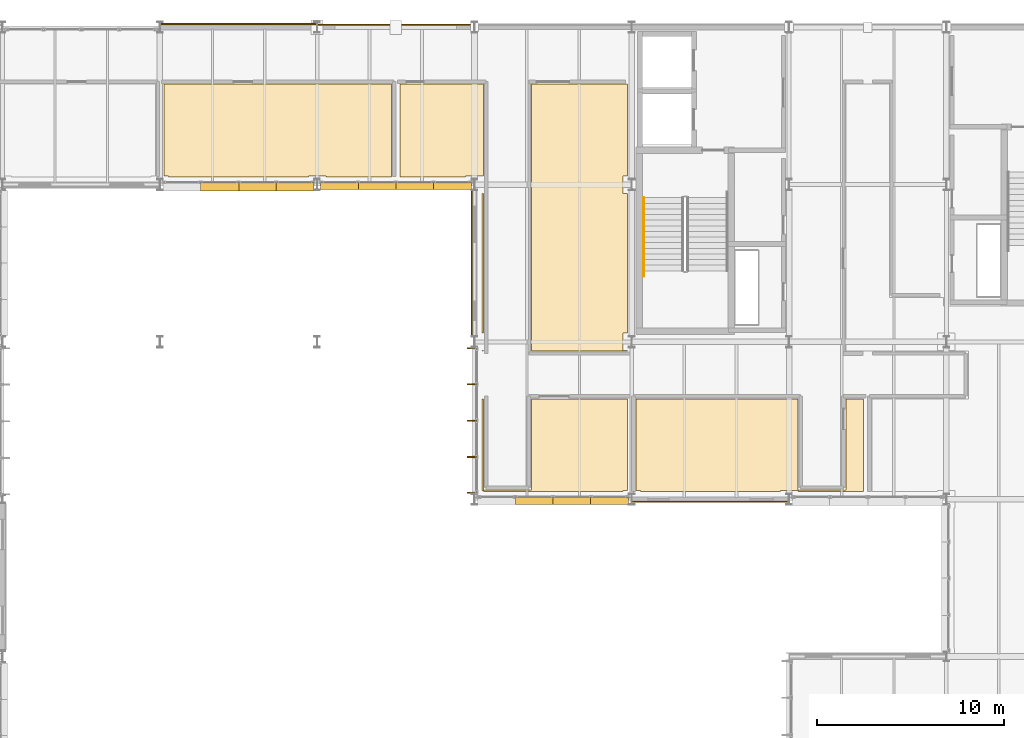
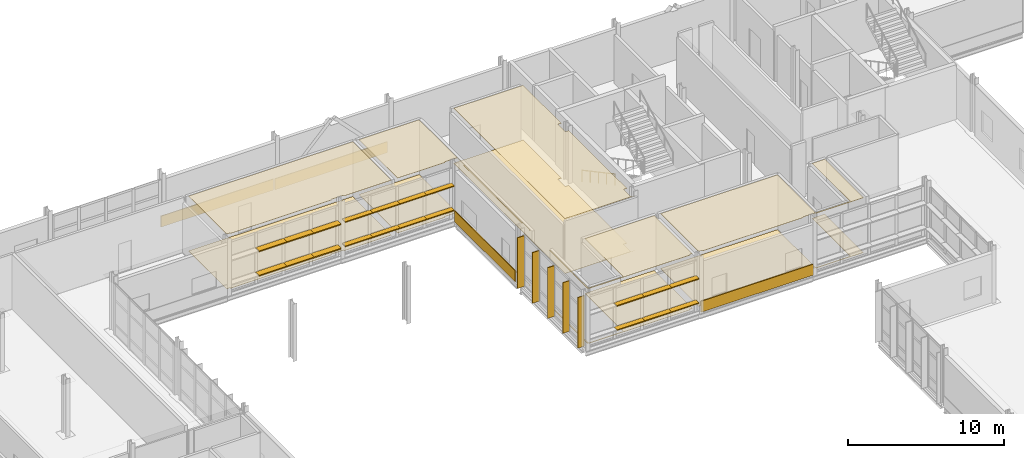
# One storey, part 126 of 129: 25 shading devices, 14 coverings, 1 railing.
"""IFC4 building model written with IfcOpenShell, lengths in metres."""

from ifc_helpers import new_model, si_unit, direction, frame, origin, origin_2d, place, context, subcontext, project, spatial, polyline, rectangle, circle, outline, extrude, material, layer, layer_set, type_object, element, save


model = new_model("IFC4")

# Units and contexts
model_context = context("Model", 3, precision=1e-05, world=origin(), true_north=direction((0.0, 1.0)))
body_context = subcontext(model_context, "Body", "Model", "MODEL_VIEW")
ifc_project = project(units=[si_unit("LENGTHUNIT", "METRE"), si_unit("AREAUNIT", "SQUARE_METRE"), si_unit("VOLUMEUNIT", "CUBIC_METRE"), si_unit("PLANEANGLEUNIT", "RADIAN"), si_unit("MASSUNIT", "GRAM", prefix="KILO")], contexts=[model_context])

# Site, building, storey
site_placement = place(None, origin())
site = spatial("IfcSite", under=ifc_project, at=site_placement, CompositionType="ELEMENT")
building_placement = place(site_placement, origin())
building = spatial("IfcBuilding", under=site, at=building_placement, Name="Mersafa Astral City Hall", CompositionType="ELEMENT")
storey_placement = place(building_placement, frame((0.0, 0.0, 5.39990234375)))
storey = spatial("IfcBuildingStorey", under=building, at=storey_placement, Name="L01", CompositionType="ELEMENT", Elevation=5.39990234375)

# Coverings
ifc_material_1 = material(Name="Cairo Mokattam buff limestone cladding", Category="masonry")
ifc_layer_1 = layer(ifc_material_1, 0.06005859375, Name="Cairo Mokattam buff limestone cladding")
ifc_layer_set_1 = layer_set([ifc_layer_1], Name="Cairo Mokattam buff limestone cladding — ENV-COV-LIMESTONE-60")
covering_type_1 = type_object("IfcCoveringType", Name="ENV-COV-LIMESTONE-60", PredefinedType="CLADDING", material=ifc_layer_set_1)
covering_1_placement = place(storey_placement, frame((142.653076171875, 113.39990234375, 0.0), z_axis=(0.0, 0.0, 1.0), x_axis=(0.0, -1.0, 0.0)))
element("IfcCovering", 1, at=covering_1_placement, inside=storey, type_object=covering_type_1, Name="L01 Cairo buff limestone rainscreen cladding 82", PredefinedType="CLADDING", context=body_context, shape_type="SweptSolid", body=[
    extrude(rectangle(XDim=7.748046875, YDim=0.06005859375, at=origin_2d()), origin(), (0.0, 0.0, 1.0), 0.860107421875),
])
for number, where, z_axis, x_axis, name in (
    (2, (155.39990234375, 100.660400390625, 0.0), (0.0, 0.0, 1.0), (1.0, 0.0, 0.0), "L01 Cairo buff limestone rainscreen cladding 83"),
    (3, (138.60009765625, 126.139404296875, 0.0), (0.0, 0.0, 1.0), (-1.0, 0.0, 0.0), "L01 Cairo buff limestone rainscreen cladding 101"),
    (4, (130.199951171875, 126.177001953125, 0.0), (0.0, 0.0, 1.0), (-1.0, 0.0, 0.0), "L01 Cairo buff limestone rainscreen cladding 102"),
):
    element("IfcCovering", number, at=place(storey_placement, frame(where, z_axis=z_axis, x_axis=x_axis)), inside=storey, type_object=covering_type_1, Name=name, PredefinedType="CLADDING", context=body_context, shape_type="SweptSolid", body=[
        extrude(rectangle(XDim=8.323974609375, YDim=0.06005859375, at=origin_2d()), origin(), (0.0, 0.0, 1.0), 0.860107421875),
    ])

# Shading devices
ifc_material_2 = material(Name="Anodised bronze aluminium solar fin", Category="aluminium")
shading_device_type_1 = type_object("IfcShadingDeviceType", Name="ENV-SHD-FIN-500B", PredefinedType="USERDEFINED", material=ifc_material_2)
for number, where, z_axis, x_axis, name in (
    (5, (142.655029296875, 108.85791015625, -0.014892578125), (0.0, 0.0, 1.0), (0.0, -1.0, 0.0), "L01 Vertical bronze solar fin 406"),
    (6, (142.655029296875, 106.944091796875, -0.014892578125), (0.0, 0.0, 1.0), (0.0, -1.0, 0.0), "L01 Vertical bronze solar fin 407"),
    (7, (142.655029296875, 105.0, -0.014892578125), (0.0, 0.0, 1.0), (0.0, -1.0, 0.0), "L01 Vertical bronze solar fin 408"),
    (8, (142.655029296875, 103.055908203125, -0.014892578125), (0.0, 0.0, 1.0), (0.0, -1.0, 0.0), "L01 Vertical bronze solar fin 409"),
    (9, (142.655029296875, 101.14208984375, -0.014892578125), (0.0, 0.0, 1.0), (0.0, -1.0, 0.0), "L01 Vertical bronze solar fin 410"),
):
    element("IfcShadingDevice", number, at=place(storey_placement, frame(where, z_axis=z_axis, x_axis=x_axis)), inside=storey, type_object=shading_device_type_1, Name=name, ObjectType="FIN", PredefinedType="USERDEFINED", context=body_context, shape_type="SweptSolid", body=[
        extrude(rectangle(XDim=0.06005859375, YDim=0.5, at=origin_2d()), origin(), (0.0, 0.0, 1.0), 3.9619140625),
    ])
ifc_material_3 = material(Name="Kiln-dried cedar timber brise-soleil blade", Category="wood")
shading_device_type_2 = type_object("IfcShadingDeviceType", Name="ENV-SHD-LOUVRE-380", PredefinedType="JALOUSIE", material=ifc_material_3)
shading_device_1_placement = place(storey_placement, frame((135.58642578125, 117.52001953125, 0.81494140625), z_axis=(0.0, 0.0, 1.0), x_axis=(1.0, 0.0, 0.0)))
element("IfcShadingDevice", 10, at=shading_device_1_placement, inside=storey, type_object=shading_device_type_2, Name="L01 Horizontal cedar brise-soleil louvre 398", PredefinedType="JALOUSIE", context=body_context, shape_type="SweptSolid", body=[
    extrude(rectangle(XDim=2.029052734375, YDim=0.3798828125, at=origin_2d()), origin(), (0.0, 0.0, 1.0), 0.070068359375),
])
for number, where, z_axis, x_axis, name in (
    (11, (137.590576171875, 117.52001953125, 0.81494140625), (0.0, 0.0, 1.0), (1.0, 0.0, 0.0), "L01 Horizontal cedar brise-soleil louvre 399"),
    (12, (139.609619140625, 117.52001953125, 0.81494140625), (0.0, 0.0, 1.0), (1.0, 0.0, 0.0), "L01 Horizontal cedar brise-soleil louvre 400"),
):
    element("IfcShadingDevice", number, at=place(storey_placement, frame(where, z_axis=z_axis, x_axis=x_axis)), inside=storey, type_object=shading_device_type_2, Name=name, PredefinedType="JALOUSIE", context=body_context, shape_type="SweptSolid", body=[
        extrude(rectangle(XDim=2.05908203125, YDim=0.3798828125, at=origin_2d()), origin(), (0.0, 0.0, 1.0), 0.070068359375),
    ])
for number, where, z_axis, x_axis, name in (
    (13, (141.613525390625, 117.52001953125, 0.81494140625), (0.0, 0.0, 1.0), (1.0, 0.0, 0.0), "L01 Horizontal cedar brise-soleil louvre 401"),
    (14, (135.58642578125, 117.52001953125, 2.71484375), (0.0, 0.0, 1.0), (1.0, 0.0, 0.0), "L01 Horizontal cedar brise-soleil louvre 402"),
):
    element("IfcShadingDevice", number, at=place(storey_placement, frame(where, z_axis=z_axis, x_axis=x_axis)), inside=storey, type_object=shading_device_type_2, Name=name, PredefinedType="JALOUSIE", context=body_context, shape_type="SweptSolid", body=[
        extrude(rectangle(XDim=2.029052734375, YDim=0.3798828125, at=origin_2d()), origin(), (0.0, 0.0, 1.0), 0.070068359375),
    ])
for number, where, z_axis, x_axis, name in (
    (15, (137.590576171875, 117.52001953125, 2.71484375), (0.0, 0.0, 1.0), (1.0, 0.0, 0.0), "L01 Horizontal cedar brise-soleil louvre 403"),
    (16, (139.609619140625, 117.52001953125, 2.71484375), (0.0, 0.0, 1.0), (1.0, 0.0, 0.0), "L01 Horizontal cedar brise-soleil louvre 404"),
):
    element("IfcShadingDevice", number, at=place(storey_placement, frame(where, z_axis=z_axis, x_axis=x_axis)), inside=storey, type_object=shading_device_type_2, Name=name, PredefinedType="JALOUSIE", context=body_context, shape_type="SweptSolid", body=[
        extrude(rectangle(XDim=2.05908203125, YDim=0.3798828125, at=origin_2d()), origin(), (0.0, 0.0, 1.0), 0.070068359375),
    ])
shading_device_2_placement = place(storey_placement, frame((141.613525390625, 117.52001953125, 2.71484375), z_axis=(0.0, 0.0, 1.0), x_axis=(1.0, 0.0, 0.0)))
element("IfcShadingDevice", 17, at=shading_device_2_placement, inside=storey, type_object=shading_device_type_2, Name="L01 Horizontal cedar brise-soleil louvre 405", PredefinedType="JALOUSIE", context=body_context, shape_type="SweptSolid", body=[
    extrude(rectangle(XDim=2.029052734375, YDim=0.3798828125, at=origin_2d()), origin(), (0.0, 0.0, 1.0), 0.070068359375),
])
for number, where, z_axis, x_axis, name in (
    (18, (145.990478515625, 100.719970703125, 0.81494140625), (0.0, 0.0, 1.0), (1.0, 0.0, 0.0), "L01 Horizontal cedar brise-soleil louvre 412"),
    (19, (148.009521484375, 100.719970703125, 0.81494140625), (0.0, 0.0, 1.0), (1.0, 0.0, 0.0), "L01 Horizontal cedar brise-soleil louvre 413"),
):
    element("IfcShadingDevice", number, at=place(storey_placement, frame(where, z_axis=z_axis, x_axis=x_axis)), inside=storey, type_object=shading_device_type_2, Name=name, PredefinedType="JALOUSIE", context=body_context, shape_type="SweptSolid", body=[
        extrude(rectangle(XDim=2.05908203125, YDim=0.3798828125, at=origin_2d()), origin(), (0.0, 0.0, 1.0), 0.070068359375),
    ])
shading_device_3_placement = place(storey_placement, frame((150.013427734375, 100.719970703125, 0.81494140625), z_axis=(0.0, 0.0, 1.0), x_axis=(1.0, 0.0, 0.0)))
element("IfcShadingDevice", 20, at=shading_device_3_placement, inside=storey, type_object=shading_device_type_2, Name="L01 Horizontal cedar brise-soleil louvre 414", PredefinedType="JALOUSIE", context=body_context, shape_type="SweptSolid", body=[
    extrude(rectangle(XDim=2.029052734375, YDim=0.3798828125, at=origin_2d()), origin(), (0.0, 0.0, 1.0), 0.070068359375),
])
for number, where, z_axis, x_axis, name in (
    (21, (145.990478515625, 100.719970703125, 2.71484375), (0.0, 0.0, 1.0), (1.0, 0.0, 0.0), "L01 Horizontal cedar brise-soleil louvre 416"),
    (22, (148.009521484375, 100.719970703125, 2.71484375), (0.0, 0.0, 1.0), (1.0, 0.0, 0.0), "L01 Horizontal cedar brise-soleil louvre 417"),
):
    element("IfcShadingDevice", number, at=place(storey_placement, frame(where, z_axis=z_axis, x_axis=x_axis)), inside=storey, type_object=shading_device_type_2, Name=name, PredefinedType="JALOUSIE", context=body_context, shape_type="SweptSolid", body=[
        extrude(rectangle(XDim=2.05908203125, YDim=0.3798828125, at=origin_2d()), origin(), (0.0, 0.0, 1.0), 0.070068359375),
    ])
shading_device_4_placement = place(storey_placement, frame((150.013427734375, 100.719970703125, 2.71484375), z_axis=(0.0, 0.0, 1.0), x_axis=(1.0, 0.0, 0.0)))
element("IfcShadingDevice", 23, at=shading_device_4_placement, inside=storey, type_object=shading_device_type_2, Name="L01 Horizontal cedar brise-soleil louvre 418", PredefinedType="JALOUSIE", context=body_context, shape_type="SweptSolid", body=[
    extrude(rectangle(XDim=2.029052734375, YDim=0.3798828125, at=origin_2d()), origin(), (0.0, 0.0, 1.0), 0.070068359375),
])
shading_device_type_3 = type_object("IfcShadingDeviceType", Name="ENV-SHD-LOUVRE-450", PredefinedType="JALOUSIE", material=ifc_material_3)
for number, where, z_axis, x_axis, name in (
    (24, (129.1904296875, 117.485107421875, 0.81005859375), (0.0, 0.0, 1.0), (1.0, 0.0, 0.0), "L01 Horizontal cedar brise-soleil louvre 391"),
    (25, (131.20947265625, 117.485107421875, 0.81005859375), (0.0, 0.0, 1.0), (1.0, 0.0, 0.0), "L01 Horizontal cedar brise-soleil louvre 392"),
):
    element("IfcShadingDevice", number, at=place(storey_placement, frame(where, z_axis=z_axis, x_axis=x_axis)), inside=storey, type_object=shading_device_type_3, Name=name, PredefinedType="JALOUSIE", context=body_context, shape_type="SweptSolid", body=[
        extrude(rectangle(XDim=2.05908203125, YDim=0.449951171875, at=origin_2d()), origin(), (0.0, 0.0, 1.0), 0.080078125),
    ])
shading_device_5_placement = place(storey_placement, frame((133.21337890625, 117.485107421875, 0.81005859375), z_axis=(0.0, 0.0, 1.0), x_axis=(1.0, 0.0, 0.0)))
element("IfcShadingDevice", 26, at=shading_device_5_placement, inside=storey, type_object=shading_device_type_3, Name="L01 Horizontal cedar brise-soleil louvre 393", PredefinedType="JALOUSIE", context=body_context, shape_type="SweptSolid", body=[
    extrude(rectangle(XDim=2.029052734375, YDim=0.449951171875, at=origin_2d()), origin(), (0.0, 0.0, 1.0), 0.080078125),
])
for number, where, z_axis, x_axis, name in (
    (27, (129.1904296875, 117.485107421875, 2.7099609375), (0.0, 0.0, 1.0), (1.0, 0.0, 0.0), "L01 Horizontal cedar brise-soleil louvre 395"),
    (28, (131.20947265625, 117.485107421875, 2.7099609375), (0.0, 0.0, 1.0), (1.0, 0.0, 0.0), "L01 Horizontal cedar brise-soleil louvre 396"),
):
    element("IfcShadingDevice", number, at=place(storey_placement, frame(where, z_axis=z_axis, x_axis=x_axis)), inside=storey, type_object=shading_device_type_3, Name=name, PredefinedType="JALOUSIE", context=body_context, shape_type="SweptSolid", body=[
        extrude(rectangle(XDim=2.05908203125, YDim=0.449951171875, at=origin_2d()), origin(), (0.0, 0.0, 1.0), 0.080078125),
    ])
shading_device_6_placement = place(storey_placement, frame((133.21337890625, 117.485107421875, 2.7099609375), z_axis=(0.0, 0.0, 1.0), x_axis=(1.0, 0.0, 0.0)))
element("IfcShadingDevice", 29, at=shading_device_6_placement, inside=storey, type_object=shading_device_type_3, Name="L01 Horizontal cedar brise-soleil louvre 397", PredefinedType="JALOUSIE", context=body_context, shape_type="SweptSolid", body=[
    extrude(rectangle(XDim=2.029052734375, YDim=0.449951171875, at=origin_2d()), origin(), (0.0, 0.0, 1.0), 0.080078125),
])

# Railing
ifc_material_4 = material(Name="Brushed stainless steel tubular handrail", Category="steel")
railing_type = type_object("IfcRailingType", Name="HANDRAIL", PredefinedType="HANDRAIL", material=ifc_material_4)
railing_placement = place(storey_placement, frame((151.830078125, 116.89990234375, 0.160888671875)))
element("IfcRailing", 30, at=railing_placement, inside=storey, type_object=railing_type, Name="L01 ST1 stair handrail 1", PredefinedType="HANDRAIL", context=body_context, shape_type="SweptSolid", body=[
    extrude(circle(Radius=0.02392578125, at=origin_2d()), frame((0.0, 0.0, 0.8759765625), z_axis=(0.0, -0.881221683169, 0.472703231546), x_axis=(1.0, 0.0, 0.0)), (0.0, 0.0, 1.0), 4.76611328125),
    extrude(circle(Radius=0.02099609375, at=origin_2d()), origin(), (0.0, 0.0, 1.0), 0.851806640625),
    extrude(circle(Radius=0.02099609375, at=origin_2d()), frame((0.0, -1.050048828125, 0.563232421875)), (0.0, 0.0, 1.0), 0.851806640625),
    extrude(circle(Radius=0.02099609375, at=origin_2d()), frame((0.0, -2.10009765625, 1.12646484375)), (0.0, 0.0, 1.0), 0.851806640625),
    extrude(circle(Radius=0.02099609375, at=origin_2d()), frame((0.0, -3.14990234375, 1.689697265625)), (0.0, 0.0, 1.0), 0.851806640625),
    extrude(circle(Radius=0.02099609375, at=origin_2d()), frame((0.0, -4.199951171875, 2.2529296875)), (0.0, 0.0, 1.0), 0.851806640625),
])

# Coverings
ifc_material_5 = material(Name="Perforated acoustic gypsum board ceiling", Category="gypsum")
ifc_layer_2 = layer(ifc_material_5, 0.02490234375, Name="Perforated acoustic gypsum board ceiling")
ifc_layer_set_2 = layer_set([ifc_layer_2], Name="Perforated acoustic gypsum board ceiling — INT-COV-CEIL-25")
covering_type_2 = type_object("IfcCoveringType", Name="INT-COV-CEIL-25", PredefinedType="CEILING", material=ifc_layer_set_2)
covering_2_placement = place(storey_placement, frame((0.0, 0.0, 4.281005859375)))
element("IfcCovering", 31, at=covering_2_placement, inside=storey, type_object=covering_type_2, Name="L01 Citizens Service Centre L01-11 acoustic ceiling", PredefinedType="CEILING", context=body_context, shape_type="SweptSolid", body=[
    extrude(outline(polyline([(150.969970703125, 122.9599609375), (150.969970703125, 118.070068359375), (150.72998046875, 118.070068359375), (150.72998046875, 117.1298828125), (150.969970703125, 117.1298828125), (150.969970703125, 109.669921875), (150.72998046875, 109.669921875), (150.72998046875, 108.72998046875), (150.969970703125, 108.72998046875), (150.969970703125, 108.719970703125), (145.840087890625, 108.719970703125), (145.840087890625, 122.9599609375), (150.969970703125, 122.9599609375)])), origin(), (0.0, 0.0, 1.0), 0.025146484375),
])
covering_3_placement = place(storey_placement, frame((0.0, 0.0, 4.281005859375)))
element("IfcCovering", 32, at=covering_3_placement, inside=storey, type_object=covering_type_2, Name="L01 Members Reading Room L01-22 acoustic ceiling", PredefinedType="CEILING", context=body_context, shape_type="SweptSolid", body=[
    extrude(outline(polyline([(126.469970703125, 118.070068359375), (126.22998046875, 118.070068359375), (126.22998046875, 122.9599609375), (138.3701171875, 122.9599609375), (138.3701171875, 118.0), (134.8701171875, 118.0), (134.8701171875, 118.070068359375), (133.929931640625, 118.070068359375), (133.929931640625, 118.0), (126.469970703125, 118.0), (126.469970703125, 118.070068359375)])), origin(), (0.0, 0.0, 1.0), 0.025146484375),
])
covering_4_placement = place(storey_placement, frame((0.0, 0.0, 4.281005859375)))
element("IfcCovering", 33, at=covering_4_placement, inside=storey, type_object=covering_type_2, Name="L01 Municipal Administration Office L01-24 acoustic ceiling", PredefinedType="CEILING", context=body_context, shape_type="SweptSolid", body=[
    extrude(outline(polyline([(160.080078125, 106.159912109375), (160.080078125, 101.280029296875), (162.639892578125, 101.280029296875), (162.639892578125, 106.159912109375), (163.570068359375, 106.159912109375), (163.570068359375, 101.199951171875), (160.070068359375, 101.199951171875), (160.070068359375, 101.27001953125), (159.1298828125, 101.27001953125), (159.1298828125, 101.199951171875), (151.669921875, 101.199951171875), (151.669921875, 101.27001953125), (151.429931640625, 101.27001953125), (151.429931640625, 106.159912109375), (160.080078125, 106.159912109375)])), origin(), (0.0, 0.0, 1.0), 0.025146484375),
])
covering_5_placement = place(storey_placement, frame((0.0, 0.0, 4.281005859375)))
element("IfcCovering", 34, at=covering_5_placement, inside=storey, type_object=covering_type_2, Name="L01 Public Restroom L01-28 acoustic ceiling", PredefinedType="CEILING", context=body_context, shape_type="SweptSolid", body=[
    extrude(outline(polyline([(143.27001953125, 101.27001953125), (143.199951171875, 101.27001953125), (143.199951171875, 106.159912109375), (143.280029296875, 106.159912109375), (143.280029296875, 101.280029296875), (145.840087890625, 101.280029296875), (145.840087890625, 106.159912109375), (150.969970703125, 106.159912109375), (150.969970703125, 101.27001953125), (150.72998046875, 101.27001953125), (150.72998046875, 101.199951171875), (143.27001953125, 101.199951171875), (143.27001953125, 101.27001953125)])), origin(), (0.0, 0.0, 1.0), 0.025146484375),
])
covering_6_placement = place(storey_placement, frame((0.0, 0.0, 4.281005859375)))
element("IfcCovering", 35, at=covering_6_placement, inside=storey, type_object=covering_type_2, Name="L01 Standing Committee Room L01-30 acoustic ceiling", PredefinedType="CEILING", context=body_context, shape_type="SweptSolid", body=[
    extrude(outline(polyline([(138.830078125, 118.0), (138.830078125, 122.9599609375), (143.280029296875, 122.9599609375), (143.280029296875, 108.719970703125), (143.199951171875, 108.719970703125), (143.199951171875, 108.72998046875), (143.27001953125, 108.72998046875), (143.27001953125, 109.669921875), (143.199951171875, 109.669921875), (143.199951171875, 117.1298828125), (143.27001953125, 117.1298828125), (143.27001953125, 118.070068359375), (142.330078125, 118.070068359375), (142.330078125, 118.0), (138.830078125, 118.0)])), origin(), (0.0, 0.0, 1.0), 0.025146484375),
])
ifc_material_6 = material(Name="Honed Cairo limestone terrazzo flooring", Category="masonry")
ifc_layer_3 = layer(ifc_material_6, 0.02001953125, Name="Honed Cairo limestone terrazzo flooring")
ifc_layer_set_3 = layer_set([ifc_layer_3], Name="Honed Cairo limestone terrazzo flooring — INT-COV-FLR-20")
covering_type_3 = type_object("IfcCoveringType", Name="INT-COV-FLR-20", PredefinedType="FLOORING", material=ifc_layer_set_3)
covering_7_placement = place(storey_placement, frame((0.0, 0.0, -0.00146484375)))
element("IfcCovering", 36, at=covering_7_placement, inside=storey, type_object=covering_type_3, Name="L01 Citizens Service Centre L01-11 architectural flooring", PredefinedType="FLOORING", context=body_context, shape_type="SweptSolid", body=[
    extrude(outline(polyline([(150.969970703125, 122.9599609375), (150.969970703125, 118.070068359375), (150.72998046875, 118.070068359375), (150.72998046875, 117.1298828125), (150.969970703125, 117.1298828125), (150.969970703125, 109.669921875), (150.72998046875, 109.669921875), (150.72998046875, 108.72998046875), (150.969970703125, 108.72998046875), (150.969970703125, 108.719970703125), (145.840087890625, 108.719970703125), (145.840087890625, 122.9599609375), (150.969970703125, 122.9599609375)])), origin(), (0.0, 0.0, 1.0), 0.02001953125),
])
covering_8_placement = place(storey_placement, frame((0.0, 0.0, -0.00146484375)))
element("IfcCovering", 37, at=covering_8_placement, inside=storey, type_object=covering_type_3, Name="L01 Members Reading Room L01-22 architectural flooring", PredefinedType="FLOORING", context=body_context, shape_type="SweptSolid", body=[
    extrude(outline(polyline([(126.469970703125, 118.070068359375), (126.22998046875, 118.070068359375), (126.22998046875, 122.9599609375), (138.3701171875, 122.9599609375), (138.3701171875, 118.0), (134.8701171875, 118.0), (134.8701171875, 118.070068359375), (133.929931640625, 118.070068359375), (133.929931640625, 118.0), (126.469970703125, 118.0), (126.469970703125, 118.070068359375)])), origin(), (0.0, 0.0, 1.0), 0.02001953125),
])
covering_9_placement = place(storey_placement, frame((0.0, 0.0, -0.00146484375)))
element("IfcCovering", 38, at=covering_9_placement, inside=storey, type_object=covering_type_3, Name="L01 Municipal Administration Office L01-24 architectural flooring", PredefinedType="FLOORING", context=body_context, shape_type="SweptSolid", body=[
    extrude(outline(polyline([(160.080078125, 106.159912109375), (160.080078125, 101.280029296875), (162.639892578125, 101.280029296875), (162.639892578125, 106.159912109375), (163.570068359375, 106.159912109375), (163.570068359375, 101.199951171875), (160.070068359375, 101.199951171875), (160.070068359375, 101.27001953125), (159.1298828125, 101.27001953125), (159.1298828125, 101.199951171875), (151.669921875, 101.199951171875), (151.669921875, 101.27001953125), (151.429931640625, 101.27001953125), (151.429931640625, 106.159912109375), (160.080078125, 106.159912109375)])), origin(), (0.0, 0.0, 1.0), 0.02001953125),
])
covering_10_placement = place(storey_placement, frame((0.0, 0.0, -0.00146484375)))
element("IfcCovering", 39, at=covering_10_placement, inside=storey, type_object=covering_type_3, Name="L01 Public Restroom L01-28 architectural flooring", PredefinedType="FLOORING", context=body_context, shape_type="SweptSolid", body=[
    extrude(outline(polyline([(143.27001953125, 101.27001953125), (143.199951171875, 101.27001953125), (143.199951171875, 106.159912109375), (143.280029296875, 106.159912109375), (143.280029296875, 101.280029296875), (145.840087890625, 101.280029296875), (145.840087890625, 106.159912109375), (150.969970703125, 106.159912109375), (150.969970703125, 101.27001953125), (150.72998046875, 101.27001953125), (150.72998046875, 101.199951171875), (143.27001953125, 101.199951171875), (143.27001953125, 101.27001953125)])), origin(), (0.0, 0.0, 1.0), 0.02001953125),
])
covering_11_placement = place(storey_placement, frame((0.0, 0.0, -0.00146484375)))
element("IfcCovering", 40, at=covering_11_placement, inside=storey, type_object=covering_type_3, Name="L01 Standing Committee Room L01-30 architectural flooring", PredefinedType="FLOORING", context=body_context, shape_type="SweptSolid", body=[
    extrude(outline(polyline([(138.830078125, 118.0), (138.830078125, 122.9599609375), (143.280029296875, 122.9599609375), (143.280029296875, 108.719970703125), (143.199951171875, 108.719970703125), (143.199951171875, 108.72998046875), (143.27001953125, 108.72998046875), (143.27001953125, 109.669921875), (143.199951171875, 109.669921875), (143.199951171875, 117.1298828125), (143.27001953125, 117.1298828125), (143.27001953125, 118.070068359375), (142.330078125, 118.070068359375), (142.330078125, 118.0), (138.830078125, 118.0)])), origin(), (0.0, 0.0, 1.0), 0.02001953125),
])

save(model, "model.ifc")
